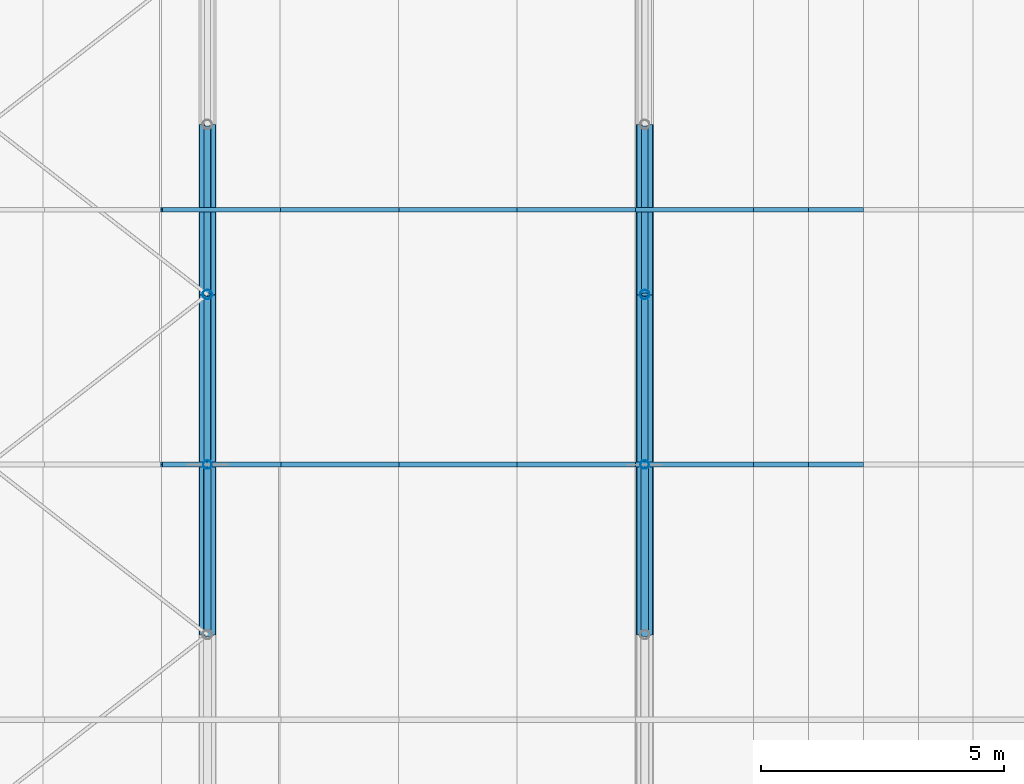
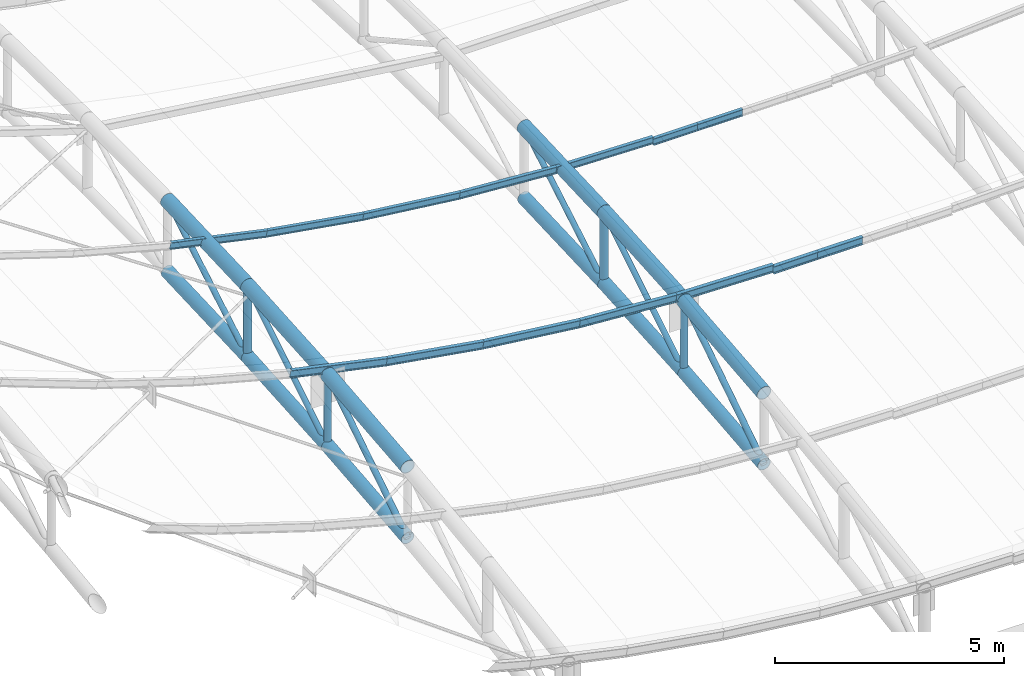
# One storey, part 21 of 262: 36 members.
"""IFC4 building model written with IfcOpenShell, lengths in metres."""

from ifc_helpers import new_model, si_unit, derived_unit, direction, frame, origin, origin_2d, place, context, subcontext, project, spatial, hollow_circle, i_section, extrude, material, material_profile, profile_set, type_object, element, save


model = new_model("IFC4")

# Units and contexts
model_context = context("Model", 3, precision=1e-05, world=origin(), true_north=direction((0.0, 1.0)))
body_context = subcontext(model_context, "Body", "Model", "MODEL_VIEW")
ifc_project = project(units=[si_unit("LENGTHUNIT", "METRE"), si_unit("AREAUNIT", "SQUARE_METRE"), si_unit("VOLUMEUNIT", "CUBIC_METRE"), si_unit("PLANEANGLEUNIT", "RADIAN"), si_unit("MASSUNIT", "GRAM", prefix="KILO"), derived_unit("THERMALTRANSMITTANCEUNIT", [(si_unit("POWERUNIT", "WATT"), 1), (si_unit("LENGTHUNIT", "METRE"), -2), (si_unit("THERMODYNAMICTEMPERATUREUNIT", "KELVIN"), -1)])], contexts=[model_context])

# Site, building, storey
site_placement = place(None, origin())
site = spatial("IfcSite", under=ifc_project, at=site_placement, CompositionType="ELEMENT")
building_placement = place(site_placement, origin())
building = spatial("IfcBuilding", under=site, at=building_placement, Name="Almenara Railside Exhibition Hall", CompositionType="ELEMENT")
storey_placement = place(building_placement, frame((0.0, 0.0, 21.699951171875)))
storey = spatial("IfcBuildingStorey", under=building, at=storey_placement, Name="RF", CompositionType="ELEMENT", Elevation=21.699951171875)

# Members
ifc_material = material(Name="Structural steel S355JR", Category="steel")
ifc_material_profile_1 = material_profile(ifc_material, i_section(OverallWidth=0.091064453125, OverallDepth=0.179931640625, WebThickness=0.00537109375, FlangeThickness=0.008056640625, FilletRadius=0.009033203125, at=origin_2d()), Name="IPE 180")
ifc_profile_set_1 = profile_set([ifc_material_profile_1], Name="Structural steel S355JR")
member_type_1 = type_object("IfcMemberType", Name="Plenary Roof Purlin IPE 180 S355JR", PredefinedType="PURLIN", material=ifc_profile_set_1)
member_1_placement = place(storey_placement, frame((20.056884765625, 15.75, -4.93359375), z_axis=(0.977496103583, 0.0, -0.210953472309), x_axis=(0.0, 1.0, 0.0)))
element("IfcMember", 1, at=member_1_placement, inside=storey, type_object=member_type_1, Name="MEM-PR-V4-PR-IPE180-03-07", PredefinedType="PURLIN", context=body_context, shape_type="SweptSolid", body=[
    extrude(i_section(OverallWidth=0.091064453125, OverallDepth=0.179931640625, WebThickness=0.00537109375, FlangeThickness=0.008056640625, FilletRadius=0.009033203125, at=origin_2d()), origin(), (0.0, 0.0, 1.0), 2.492919921875),
])
member_2_placement = place(storey_placement, frame((22.49365234375, 15.75, -5.456787109375), z_axis=(0.986449960692, 0.0, -0.164062412058), x_axis=(0.0, 1.0, 0.0)))
element("IfcMember", 2, at=member_2_placement, inside=storey, type_object=member_type_1, Name="MEM-PR-V4-PR-IPE180-03-08", PredefinedType="PURLIN", context=body_context, shape_type="SweptSolid", body=[
    extrude(i_section(OverallWidth=0.091064453125, OverallDepth=0.179931640625, WebThickness=0.00537109375, FlangeThickness=0.008056640625, FilletRadius=0.009033203125, at=origin_2d()), origin(), (0.0, 0.0, 1.0), 2.47021484375),
])
member_3_placement = place(storey_placement, frame((24.930419921875, 15.75, -5.860107421875), z_axis=(0.993105700961, 0.0, -0.117222296166), x_axis=(0.0, 1.0, 0.0)))
element("IfcMember", 3, at=member_3_placement, inside=storey, type_object=member_type_1, Name="MEM-PR-V4-PR-IPE180-03-09", PredefinedType="PURLIN", context=body_context, shape_type="SweptSolid", body=[
    extrude(i_section(OverallWidth=0.091064453125, OverallDepth=0.179931640625, WebThickness=0.00537109375, FlangeThickness=0.008056640625, FilletRadius=0.009033203125, at=origin_2d()), origin(), (0.0, 0.0, 1.0), 2.453369140625),
])
member_4_placement = place(storey_placement, frame((27.366943359375, 15.75, -6.146240234375), z_axis=(0.997521719737, 0.0, -0.070359211571), x_axis=(0.0, 1.0, 0.0)))
element("IfcMember", 4, at=member_4_placement, inside=storey, type_object=member_type_1, Name="MEM-PR-V4-PR-IPE180-03-10", PredefinedType="PURLIN", context=body_context, shape_type="SweptSolid", body=[
    extrude(i_section(OverallWidth=0.091064453125, OverallDepth=0.179931640625, WebThickness=0.00537109375, FlangeThickness=0.008056640625, FilletRadius=0.009033203125, at=origin_2d()), origin(), (0.0, 0.0, 1.0), 2.44287109375),
])
member_5_placement = place(storey_placement, frame((29.8037109375, 15.75, -6.3173828125), z_axis=(0.999725289903, 0.0, -0.023438104182), x_axis=(0.0, 1.0, 0.0)))
element("IfcMember", 5, at=member_5_placement, inside=storey, type_object=member_type_1, Name="MEM-PR-V4-PR-IPE180-03-11", PredefinedType="PURLIN", context=body_context, shape_type="SweptSolid", body=[
    extrude(i_section(OverallWidth=0.091064453125, OverallDepth=0.179931640625, WebThickness=0.00537109375, FlangeThickness=0.008056640625, FilletRadius=0.009033203125, at=origin_2d()), origin(), (0.0, 0.0, 1.0), 2.4375),
])
member_6_placement = place(storey_placement, frame((32.240478515625, 15.75, -6.424560546875), z_axis=(1.0, 0.0, 0.0), x_axis=(0.0, 1.0, 0.0)))
element("IfcMember", 6, at=member_6_placement, inside=storey, type_object=member_type_1, Name="MEM-PR-V4-PR-IPE180-03-12", PredefinedType="PURLIN", context=body_context, shape_type="SweptSolid", body=[
    extrude(i_section(OverallWidth=0.091064453125, OverallDepth=0.179931640625, WebThickness=0.00537109375, FlangeThickness=0.008056640625, FilletRadius=0.009033203125, at=origin_2d()), origin(), (0.0, 0.0, 1.0), 1.129638671875),
])
member_7_placement = place(storey_placement, frame((33.3701171875, 15.75, -6.424560546875), z_axis=(1.0, 0.0, 0.0), x_axis=(0.0, 1.0, 0.0)))
element("IfcMember", 7, at=member_7_placement, inside=storey, type_object=member_type_1, Name="MEM-PR-V4-PR-IPE180-03-13", PredefinedType="PURLIN", context=body_context, shape_type="SweptSolid", body=[
    extrude(i_section(OverallWidth=0.091064453125, OverallDepth=0.179931640625, WebThickness=0.00537109375, FlangeThickness=0.008056640625, FilletRadius=0.009033203125, at=origin_2d()), origin(), (0.0, 0.0, 1.0), 1.1298828125),
])
ifc_material_profile_2 = material_profile(ifc_material, hollow_circle(Radius=0.161865234375, WallThickness=0.010009765625, at=origin_2d()), Name="CHS 323.9x10")
ifc_profile_set_2 = profile_set([ifc_material_profile_2], Name="Structural steel S355JR")
member_type_2 = type_object("IfcMemberType", Name="Plenary Truss Bottom Chord CHS 323.9x10 S355JR", PredefinedType="CHORD", material=ifc_profile_set_2)
member_8_placement = place(storey_placement, frame((21.0, 7.0, -7.7705078125), z_axis=(0.0, 0.995041312637, 0.09946248612), x_axis=(-1.0, 0.0, 0.0)))
element("IfcMember", 8, at=member_8_placement, inside=storey, type_object=member_type_2, Name="MEM-BC-V4-02-02", PredefinedType="CHORD", context=body_context, shape_type="SweptSolid", body=[
    extrude(hollow_circle(Radius=0.161865234375, WallThickness=0.010009765625, at=origin_2d()), origin(), (0.0, 0.0, 1.0), 3.517333984375),
])
member_9_placement = place(storey_placement, frame((21.0, 10.5, -7.420654296875), z_axis=(0.0, 0.997458699831, 0.071247049988), x_axis=(-1.0, 0.0, 0.0)))
element("IfcMember", 9, at=member_9_placement, inside=storey, type_object=member_type_2, Name="MEM-BC-V4-02-03", PredefinedType="CHORD", context=body_context, shape_type="SweptSolid", body=[
    extrude(hollow_circle(Radius=0.161865234375, WallThickness=0.010009765625, at=origin_2d()), origin(), (0.0, 0.0, 1.0), 3.509033203125),
])
member_10_placement = place(storey_placement, frame((21.0, 14.0, -7.170654296875), z_axis=(0.0, 0.999081106193, 0.042859575914), x_axis=(-1.0, 0.0, 0.0)))
element("IfcMember", 10, at=member_10_placement, inside=storey, type_object=member_type_2, Name="MEM-BC-V4-02-04", PredefinedType="CHORD", context=body_context, shape_type="SweptSolid", body=[
    extrude(hollow_circle(Radius=0.161865234375, WallThickness=0.010009765625, at=origin_2d()), origin(), (0.0, 0.0, 1.0), 3.503173828125),
])
member_11_placement = place(storey_placement, frame((30.0, 7.0, -8.95166015625), z_axis=(0.0, 0.995034440995, 0.099531207337), x_axis=(-1.0, 0.0, 0.0)))
element("IfcMember", 11, at=member_11_placement, inside=storey, type_object=member_type_2, Name="MEM-BC-V4-03-02", PredefinedType="CHORD", context=body_context, shape_type="SweptSolid", body=[
    extrude(hollow_circle(Radius=0.161865234375, WallThickness=0.010009765625, at=origin_2d()), origin(), (0.0, 0.0, 1.0), 3.517578125),
])
member_12_placement = place(storey_placement, frame((30.0, 10.5, -8.6015625), z_axis=(0.0, 0.997458699831, 0.071247049988), x_axis=(-1.0, 0.0, 0.0)))
element("IfcMember", 12, at=member_12_placement, inside=storey, type_object=member_type_2, Name="MEM-BC-V4-03-03", PredefinedType="CHORD", context=body_context, shape_type="SweptSolid", body=[
    extrude(hollow_circle(Radius=0.161865234375, WallThickness=0.010009765625, at=origin_2d()), origin(), (0.0, 0.0, 1.0), 3.509033203125),
])
member_13_placement = place(storey_placement, frame((30.0, 14.0, -8.3515625), z_axis=(0.0, 0.999084087935, 0.042790013253), x_axis=(-1.0, 0.0, 0.0)))
element("IfcMember", 13, at=member_13_placement, inside=storey, type_object=member_type_2, Name="MEM-BC-V4-03-04", PredefinedType="CHORD", context=body_context, shape_type="SweptSolid", body=[
    extrude(hollow_circle(Radius=0.161865234375, WallThickness=0.010009765625, at=origin_2d()), origin(), (0.0, 0.0, 1.0), 3.503173828125),
])
ifc_material_profile_3 = material_profile(ifc_material, hollow_circle(Radius=0.177734375, WallThickness=0.012451171875, at=origin_2d()), Name="CHS 355.6x12.5")
ifc_profile_set_3 = profile_set([ifc_material_profile_3], Name="Structural steel S355JR")
member_type_3 = type_object("IfcMemberType", Name="Plenary Truss Top Chord CHS 355.6x12.5 S355JR", PredefinedType="CHORD", material=ifc_profile_set_3)
member_14_placement = place(storey_placement, frame((21.0, 7.0, -5.87060546875), z_axis=(0.0, 0.995034440995, 0.099531207337), x_axis=(-1.0, 0.0, 0.0)))
element("IfcMember", 14, at=member_14_placement, inside=storey, type_object=member_type_3, Name="MEM-TC-V4-02-02", PredefinedType="CHORD", context=body_context, shape_type="SweptSolid", body=[
    extrude(hollow_circle(Radius=0.177734375, WallThickness=0.012451171875, at=origin_2d()), origin(), (0.0, 0.0, 1.0), 3.517578125),
])
member_15_placement = place(storey_placement, frame((21.0, 10.5, -5.5205078125), z_axis=(0.0, 0.997458699831, 0.071247049988), x_axis=(-1.0, 0.0, 0.0)))
element("IfcMember", 15, at=member_15_placement, inside=storey, type_object=member_type_3, Name="MEM-TC-V4-02-03", PredefinedType="CHORD", context=body_context, shape_type="SweptSolid", body=[
    extrude(hollow_circle(Radius=0.177734375, WallThickness=0.012451171875, at=origin_2d()), origin(), (0.0, 0.0, 1.0), 3.509033203125),
])
member_16_placement = place(storey_placement, frame((21.0, 14.0, -5.2705078125), z_axis=(0.0, 0.999084087935, 0.042790013253), x_axis=(-1.0, 0.0, 0.0)))
element("IfcMember", 16, at=member_16_placement, inside=storey, type_object=member_type_3, Name="MEM-TC-V4-02-04", PredefinedType="CHORD", context=body_context, shape_type="SweptSolid", body=[
    extrude(hollow_circle(Radius=0.177734375, WallThickness=0.012451171875, at=origin_2d()), origin(), (0.0, 0.0, 1.0), 3.503173828125),
])
member_17_placement = place(storey_placement, frame((30.0, 7.0, -7.0517578125), z_axis=(0.0, 0.995034440995, 0.099531207337), x_axis=(-1.0, 0.0, 0.0)))
element("IfcMember", 17, at=member_17_placement, inside=storey, type_object=member_type_3, Name="MEM-TC-V4-03-02", PredefinedType="CHORD", context=body_context, shape_type="SweptSolid", body=[
    extrude(hollow_circle(Radius=0.177734375, WallThickness=0.012451171875, at=origin_2d()), origin(), (0.0, 0.0, 1.0), 3.517578125),
])
member_18_placement = place(storey_placement, frame((30.0, 10.5, -6.70166015625), z_axis=(0.0, 0.997458699831, 0.071247049988), x_axis=(-1.0, 0.0, 0.0)))
element("IfcMember", 18, at=member_18_placement, inside=storey, type_object=member_type_3, Name="MEM-TC-V4-03-03", PredefinedType="CHORD", context=body_context, shape_type="SweptSolid", body=[
    extrude(hollow_circle(Radius=0.177734375, WallThickness=0.012451171875, at=origin_2d()), origin(), (0.0, 0.0, 1.0), 3.509033203125),
])
member_19_placement = place(storey_placement, frame((30.0, 14.0, -6.45166015625), z_axis=(0.0, 0.999084087935, 0.042790013253), x_axis=(-1.0, 0.0, 0.0)))
element("IfcMember", 19, at=member_19_placement, inside=storey, type_object=member_type_3, Name="MEM-TC-V4-03-04", PredefinedType="CHORD", context=body_context, shape_type="SweptSolid", body=[
    extrude(hollow_circle(Radius=0.177734375, WallThickness=0.012451171875, at=origin_2d()), origin(), (0.0, 0.0, 1.0), 3.503173828125),
])
ifc_material_profile_4 = material_profile(ifc_material, i_section(OverallWidth=0.10009765625, OverallDepth=0.199951171875, WebThickness=0.005615234375, FlangeThickness=0.008544921875, FilletRadius=0.011962890625, at=origin_2d()), Name="IPE 200")
ifc_profile_set_4 = profile_set([ifc_material_profile_4], Name="Structural steel S355JR")
member_type_4 = type_object("IfcMemberType", Name="Standard Hall Roof Purlin IPE 200 S355JR", PredefinedType="PURLIN", material=ifc_profile_set_4)
member_20_placement = place(storey_placement, frame((20.056884765625, 10.5, -5.171142578125), z_axis=(0.977516294467, 0.0, -0.210859891994), x_axis=(0.0, 1.0, 0.0)))
element("IfcMember", 20, at=member_20_placement, inside=storey, type_object=member_type_4, Name="MEM-PR-V4-PR-IPE200-02-07", PredefinedType="PURLIN", context=body_context, shape_type="SweptSolid", body=[
    extrude(i_section(OverallWidth=0.10009765625, OverallDepth=0.199951171875, WebThickness=0.005615234375, FlangeThickness=0.008544921875, FilletRadius=0.011962890625, at=origin_2d()), origin(), (0.0, 0.0, 1.0), 2.492919921875),
])
member_21_placement = place(storey_placement, frame((22.49365234375, 10.5, -5.694091796875), z_axis=(0.986449960692, 0.0, -0.164062412058), x_axis=(0.0, 1.0, 0.0)))
element("IfcMember", 21, at=member_21_placement, inside=storey, type_object=member_type_4, Name="MEM-PR-V4-PR-IPE200-02-08", PredefinedType="PURLIN", context=body_context, shape_type="SweptSolid", body=[
    extrude(i_section(OverallWidth=0.10009765625, OverallDepth=0.199951171875, WebThickness=0.005615234375, FlangeThickness=0.008544921875, FilletRadius=0.011962890625, at=origin_2d()), origin(), (0.0, 0.0, 1.0), 2.47021484375),
])
member_22_placement = place(storey_placement, frame((24.930419921875, 10.5, -6.097412109375), z_axis=(0.993117280569, 0.0, -0.117124152227), x_axis=(0.0, 1.0, 0.0)))
element("IfcMember", 22, at=member_22_placement, inside=storey, type_object=member_type_4, Name="MEM-PR-V4-PR-IPE200-02-09", PredefinedType="PURLIN", context=body_context, shape_type="SweptSolid", body=[
    extrude(i_section(OverallWidth=0.10009765625, OverallDepth=0.199951171875, WebThickness=0.005615234375, FlangeThickness=0.008544921875, FilletRadius=0.011962890625, at=origin_2d()), origin(), (0.0, 0.0, 1.0), 2.453369140625),
])
member_23_placement = place(storey_placement, frame((27.366943359375, 10.5, -6.383544921875), z_axis=(0.997528729247, 0.0, -0.070259763216), x_axis=(0.0, 1.0, 0.0)))
element("IfcMember", 23, at=member_23_placement, inside=storey, type_object=member_type_4, Name="MEM-PR-V4-PR-IPE200-02-10", PredefinedType="PURLIN", context=body_context, shape_type="SweptSolid", body=[
    extrude(i_section(OverallWidth=0.10009765625, OverallDepth=0.199951171875, WebThickness=0.005615234375, FlangeThickness=0.008544921875, FilletRadius=0.011962890625, at=origin_2d()), origin(), (0.0, 0.0, 1.0), 2.44287109375),
])
member_24_placement = place(storey_placement, frame((29.8037109375, 10.5, -6.5546875), z_axis=(0.999725289903, 0.0, -0.023438104182), x_axis=(0.0, 1.0, 0.0)))
element("IfcMember", 24, at=member_24_placement, inside=storey, type_object=member_type_4, Name="MEM-PR-V4-PR-IPE200-02-11", PredefinedType="PURLIN", context=body_context, shape_type="SweptSolid", body=[
    extrude(i_section(OverallWidth=0.10009765625, OverallDepth=0.199951171875, WebThickness=0.005615234375, FlangeThickness=0.008544921875, FilletRadius=0.011962890625, at=origin_2d()), origin(), (0.0, 0.0, 1.0), 2.4375),
])
member_25_placement = place(storey_placement, frame((32.240478515625, 10.5, -6.661865234375), z_axis=(1.0, 0.0, 0.0), x_axis=(0.0, 1.0, 0.0)))
element("IfcMember", 25, at=member_25_placement, inside=storey, type_object=member_type_4, Name="MEM-PR-V4-PR-IPE200-02-12", PredefinedType="PURLIN", context=body_context, shape_type="SweptSolid", body=[
    extrude(i_section(OverallWidth=0.10009765625, OverallDepth=0.199951171875, WebThickness=0.005615234375, FlangeThickness=0.008544921875, FilletRadius=0.011962890625, at=origin_2d()), origin(), (0.0, 0.0, 1.0), 1.129638671875),
])
member_26_placement = place(storey_placement, frame((33.3701171875, 10.5, -6.661865234375), z_axis=(1.0, 0.0, 0.0), x_axis=(0.0, 1.0, 0.0)))
element("IfcMember", 26, at=member_26_placement, inside=storey, type_object=member_type_4, Name="MEM-PR-V4-PR-IPE200-02-13", PredefinedType="PURLIN", context=body_context, shape_type="SweptSolid", body=[
    extrude(i_section(OverallWidth=0.10009765625, OverallDepth=0.199951171875, WebThickness=0.005615234375, FlangeThickness=0.008544921875, FilletRadius=0.011962890625, at=origin_2d()), origin(), (0.0, 0.0, 1.0), 1.1298828125),
])
ifc_material_profile_5 = material_profile(ifc_material, hollow_circle(Radius=0.06982421875, WallThickness=0.0048828125, at=origin_2d()), Name="CHS 139.7x5")
ifc_profile_set_5 = profile_set([ifc_material_profile_5], Name="Structural steel S355JR")
member_type_5 = type_object("IfcMemberType", Name="Truss Inner Diagonal CHS 139.7x5 S355JR", PredefinedType="BRACE", material=ifc_profile_set_5)
member_27_placement = place(storey_placement, frame((21.0, 10.5, -7.420654296875), z_axis=(0.0, 0.852060081395, 0.523443996711), x_axis=(-1.0, 0.0, 0.0)))
element("IfcMember", 27, at=member_27_placement, inside=storey, type_object=member_type_5, Name="MEM-TD-V4-02-03", PredefinedType="BRACE", context=body_context, shape_type="SweptSolid", body=[
    extrude(hollow_circle(Radius=0.06982421875, WallThickness=0.0048828125, at=origin_2d()), origin(), (0.0, 0.0, 1.0), 4.107666015625),
])
member_28_placement = place(storey_placement, frame((21.0, 14.0, -7.170654296875), z_axis=(0.0, 0.862878111278, 0.505412074526), x_axis=(-1.0, 0.0, 0.0)))
element("IfcMember", 28, at=member_28_placement, inside=storey, type_object=member_type_5, Name="MEM-TD-V4-02-04", PredefinedType="BRACE", context=body_context, shape_type="SweptSolid", body=[
    extrude(hollow_circle(Radius=0.06982421875, WallThickness=0.0048828125, at=origin_2d()), origin(), (0.0, 0.0, 1.0), 4.05615234375),
])
member_29_placement = place(storey_placement, frame((30.0, 10.5, -8.6015625), z_axis=(0.0, 0.852086589476, 0.523400844512), x_axis=(-1.0, 0.0, 0.0)))
element("IfcMember", 29, at=member_29_placement, inside=storey, type_object=member_type_5, Name="MEM-TD-V4-03-03", PredefinedType="BRACE", context=body_context, shape_type="SweptSolid", body=[
    extrude(hollow_circle(Radius=0.06982421875, WallThickness=0.0048828125, at=origin_2d()), origin(), (0.0, 0.0, 1.0), 4.107666015625),
])
member_30_placement = place(storey_placement, frame((30.0, 14.0, -8.3515625), z_axis=(0.0, 0.86290436014, 0.505367257794), x_axis=(-1.0, 0.0, 0.0)))
element("IfcMember", 30, at=member_30_placement, inside=storey, type_object=member_type_5, Name="MEM-TD-V4-03-04", PredefinedType="BRACE", context=body_context, shape_type="SweptSolid", body=[
    extrude(hollow_circle(Radius=0.06982421875, WallThickness=0.0048828125, at=origin_2d()), origin(), (0.0, 0.0, 1.0), 4.05615234375),
])
ifc_material_profile_6 = material_profile(ifc_material, hollow_circle(Radius=0.076171875, WallThickness=0.0048828125, at=origin_2d()), Name="CHS 152.4x5")
ifc_profile_set_6 = profile_set([ifc_material_profile_6], Name="Structural steel S355JR")
member_type_6 = type_object("IfcMemberType", Name="Truss Mid Diagonal CHS 152.4x5 S355JR", PredefinedType="BRACE", material=ifc_profile_set_6)
for number, where, z_axis, x_axis, name in (
    (31, (21.0, 7.0, -7.7705078125), (0.0, 0.841178475377, 0.540757591313), (-1.0, 0.0, 0.0), "MEM-TD-V4-02-02"),
    (32, (30.0, 7.0, -8.95166015625), (0.0, 0.841178475377, 0.540757591313), (-1.0, 0.0, 0.0), "MEM-TD-V4-03-02"),
):
    element("IfcMember", number, at=place(storey_placement, frame(where, z_axis=z_axis, x_axis=x_axis)), inside=storey, type_object=member_type_6, Name=name, PredefinedType="BRACE", context=body_context, shape_type="SweptSolid", body=[
        extrude(hollow_circle(Radius=0.076171875, WallThickness=0.0048828125, at=origin_2d()), origin(), (0.0, 0.0, 1.0), 4.160888671875),
    ])
ifc_material_profile_7 = material_profile(ifc_material, hollow_circle(Radius=0.0888671875, WallThickness=0.006103515625, at=origin_2d()), Name="CHS 177.8x6")
ifc_profile_set_7 = profile_set([ifc_material_profile_7], Name="Structural steel S355JR")
member_type_7 = type_object("IfcMemberType", Name="Truss Quarter Vertical Strut CHS 177.8x6 S355JR", PredefinedType="BRACE", material=ifc_profile_set_7)
member_31_placement = place(storey_placement, frame((21.0, 10.5, -7.420654296875), z_axis=(0.0, 0.0, 1.0), x_axis=(1.0, 0.0, 0.0)))
element("IfcMember", 33, at=member_31_placement, inside=storey, type_object=member_type_7, Name="MEM-TV-V4-02-03", PredefinedType="BRACE", context=body_context, shape_type="SweptSolid", body=[
    extrude(hollow_circle(Radius=0.0888671875, WallThickness=0.006103515625, at=origin_2d()), origin(), (0.0, 0.0, 1.0), 1.900146484375),
])
member_32_placement = place(storey_placement, frame((30.0, 10.5, -8.6015625), z_axis=(0.0, 0.0, 1.0), x_axis=(1.0, 0.0, 0.0)))
element("IfcMember", 34, at=member_32_placement, inside=storey, type_object=member_type_7, Name="MEM-TV-V4-03-03", PredefinedType="BRACE", context=body_context, shape_type="SweptSolid", body=[
    extrude(hollow_circle(Radius=0.0888671875, WallThickness=0.006103515625, at=origin_2d()), origin(), (0.0, 0.0, 1.0), 1.89990234375),
])
ifc_material_profile_8 = material_profile(ifc_material, hollow_circle(Radius=0.096923828125, WallThickness=0.00634765625, at=origin_2d()), Name="CHS 193.7x6.3")
ifc_profile_set_8 = profile_set([ifc_material_profile_8], Name="Structural steel S355JR")
member_type_8 = type_object("IfcMemberType", Name="Truss Standard Vertical Strut CHS 193.7x6.3 S355JR", PredefinedType="BRACE", material=ifc_profile_set_8)
member_33_placement = place(storey_placement, frame((21.0, 14.0, -7.170654296875), z_axis=(0.0, 0.0, 1.0), x_axis=(1.0, 0.0, 0.0)))
element("IfcMember", 35, at=member_33_placement, inside=storey, type_object=member_type_8, Name="MEM-TV-V4-02-04", PredefinedType="BRACE", context=body_context, shape_type="SweptSolid", body=[
    extrude(hollow_circle(Radius=0.096923828125, WallThickness=0.00634765625, at=origin_2d()), origin(), (0.0, 0.0, 1.0), 1.900146484375),
])
member_34_placement = place(storey_placement, frame((30.0, 14.0, -8.3515625), z_axis=(0.0, 0.0, 1.0), x_axis=(1.0, 0.0, 0.0)))
element("IfcMember", 36, at=member_34_placement, inside=storey, type_object=member_type_8, Name="MEM-TV-V4-03-04", PredefinedType="BRACE", context=body_context, shape_type="SweptSolid", body=[
    extrude(hollow_circle(Radius=0.096923828125, WallThickness=0.00634765625, at=origin_2d()), origin(), (0.0, 0.0, 1.0), 1.89990234375),
])

save(model, "model.ifc")
